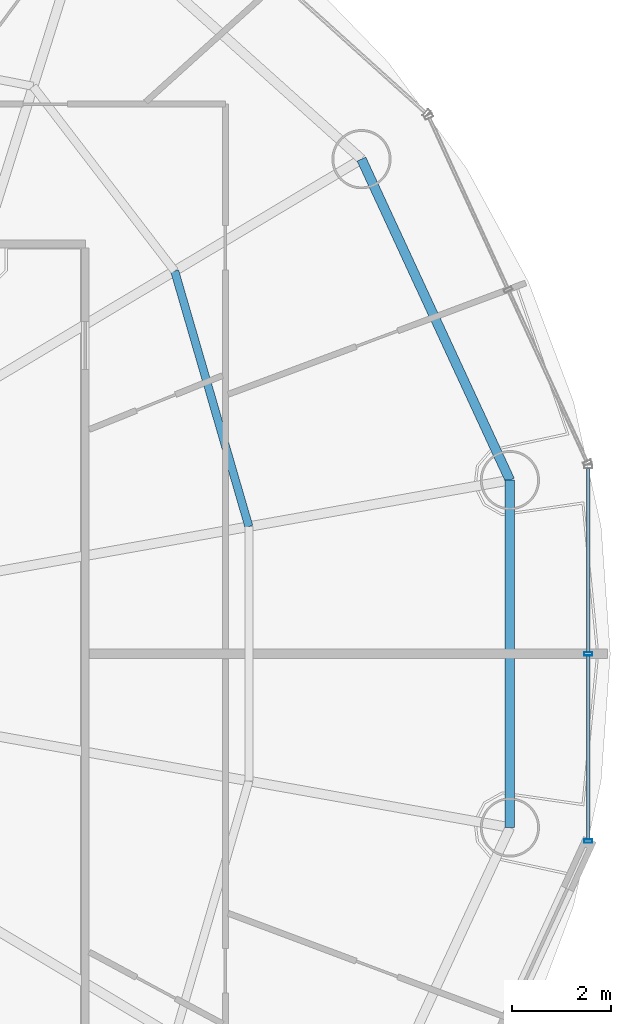
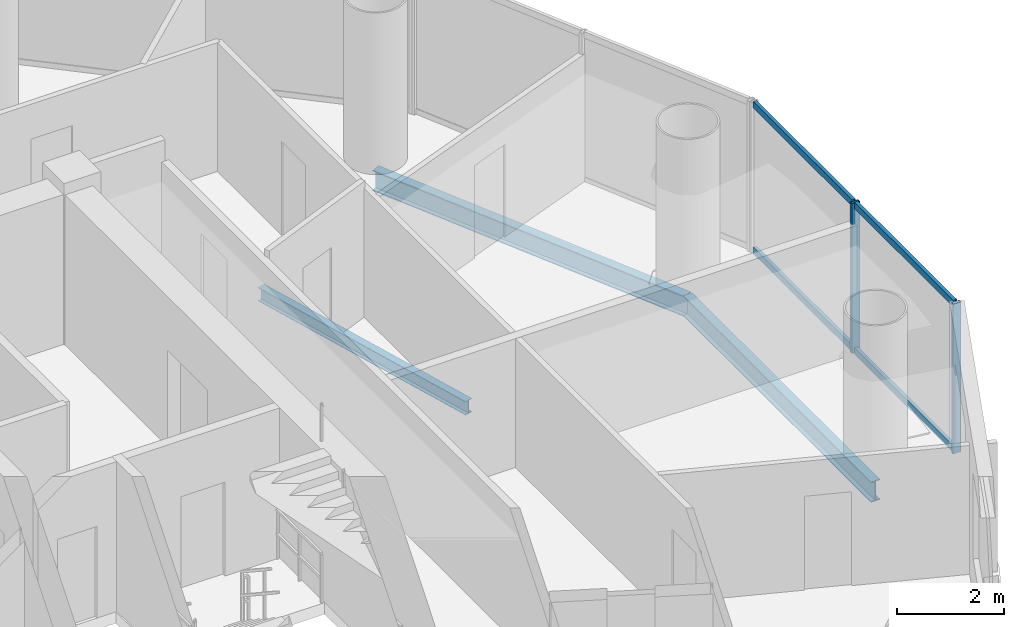
# One storey, part 12 of 26: 6 members, 3 beams, 1 element without a shape of its own.
"""IFC4 building model written with IfcOpenShell, lengths in metres."""

from ifc_helpers import new_model, si_unit, direction, frame, origin, origin_2d, place, context, subcontext, project, spatial, hollow_rectangle, i_section, extrude, source, transform, mapped, material, material_profile, profile_set, type_object, element, aggregate, save


model = new_model("IFC4")

# Units and contexts
model_context = context("Model", 3, precision=1e-05, world=origin(), true_north=direction((-0.2419218956, 0.970295726276)))
body_context = subcontext(model_context, "Body", "Model", "MODEL_VIEW")
ifc_project = project(units=[si_unit("LENGTHUNIT", "METRE"), si_unit("AREAUNIT", "SQUARE_METRE"), si_unit("VOLUMEUNIT", "CUBIC_METRE"), si_unit("PLANEANGLEUNIT", "RADIAN"), si_unit("MASSUNIT", "GRAM", prefix="KILO")], contexts=[model_context])

# Site, building, storey
site_placement = place(None, origin())
site = spatial("IfcSite", under=ifc_project, at=site_placement, CompositionType="ELEMENT")
building_placement = place(site_placement, origin())
building = spatial("IfcBuilding", under=site, at=building_placement, Name="Cobrevalo Terracotta Tower", CompositionType="ELEMENT")
storey_placement = place(building_placement, frame((0.0, 0.0, 213.39990234375)))
storey = spatial("IfcBuildingStorey", under=building, at=storey_placement, Name="L56", CompositionType="ELEMENT", Elevation=213.39990234375)

# Beams
ifc_material_1 = material(Name="Steel S355", Category="steel")
ifc_material_profile_1 = material_profile(ifc_material_1, i_section(OverallWidth=0.1650390625, OverallDepth=0.31005859375, WebThickness=0.005859375, FlangeThickness=0.009765625, at=origin_2d()), Name="W 310x38.7")
ifc_profile_set_1 = profile_set([ifc_material_profile_1], Name="Steel S355")
beam_type_1 = type_object("IfcBeamType", Name="Structural Joist W 310x38.7 (Steel S355)", PredefinedType="JOIST", material=ifc_profile_set_1)
beam_1_placement = place(storey_placement, frame((52.471435546875, 29.378662109375, -0.419921875), z_axis=(-0.278769817131, 0.960357948401, 0.0), x_axis=(-0.960357948401, -0.278769817131, 0.0)))
element("IfcBeam", 1, at=beam_1_placement, inside=storey, type_object=beam_type_1, Name="L56 circumferential secondary floor joist 01", PredefinedType="JOIST", context=body_context, shape_type="SweptSolid", body=[
    extrude(i_section(OverallWidth=0.1650390625, OverallDepth=0.31005859375, WebThickness=0.005859375, FlangeThickness=0.009765625, at=origin_2d()), origin(), (0.0, 0.0, 1.0), 5.396484375),
])
ifc_material_profile_2 = material_profile(ifc_material_1, i_section(OverallWidth=0.194091796875, OverallDepth=0.468994140625, WebThickness=0.011474609375, FlangeThickness=0.0205078125, at=origin_2d()), Name="W 460x106")
ifc_profile_set_2 = profile_set([ifc_material_profile_2], Name="Steel S355")
beam_type_2 = type_object("IfcBeamType", Name="Structural Spandrel W 460x106 (Steel S355)", PredefinedType="SPANDREL", material=ifc_profile_set_2)
beam_2_placement = place(storey_placement, frame((57.762939453125, 30.3212890625, -0.49951171875), z_axis=(-0.419705965131, 0.907660125176, 0.0), x_axis=(-0.907660125176, -0.419705965131, 0.0)))
element("IfcBeam", 2, at=beam_2_placement, inside=storey, type_object=beam_type_2, Name="L56 perimeter ring spandrel 01", PredefinedType="SPANDREL", context=body_context, shape_type="SweptSolid", body=[
    extrude(i_section(OverallWidth=0.194091796875, OverallDepth=0.468994140625, WebThickness=0.011474609375, FlangeThickness=0.0205078125, at=origin_2d()), origin(), (0.0, 0.0, 1.0), 7.168701171875),
])
beam_3_placement = place(storey_placement, frame((57.762939453125, 23.278564453125, -0.49951171875), z_axis=(0.0, 1.0, 0.0), x_axis=(-1.0, 0.0, 0.0)))
element("IfcBeam", 3, at=beam_3_placement, inside=storey, type_object=beam_type_2, Name="L56 perimeter ring spandrel 16", PredefinedType="SPANDREL", context=body_context, shape_type="SweptSolid", body=[
    extrude(i_section(OverallWidth=0.194091796875, OverallDepth=0.468994140625, WebThickness=0.011474609375, FlangeThickness=0.0205078125, at=origin_2d()), origin(), (0.0, 0.0, 1.0), 7.042724609375),
])

# Curtain wall, members
ifc_material_2 = material(Name="Anodized aluminium", Category="aluminium")
curtain_wall_type = type_object("IfcCurtainWallType", Name="Mid-tower high-wind unitised curtain wall CW-U2", PredefinedType="NOTDEFINED", material=ifc_material_2)
curtain_wall_placement = place(storey_placement, origin())
curtain_wall = element("IfcCurtainWall", 4, at=curtain_wall_placement, inside=storey, type_object=curtain_wall_type, Name="L56 curtain wall CW-L56-S16", PredefinedType="NOTDEFINED")
ifc_material_profile_3 = material_profile(ifc_material_2, hollow_rectangle(XDim=0.074951171875, YDim=0.14990234375, WallThickness=0.00439453125, at=origin_2d()), Name="CWT 75x150")
ifc_profile_set_3 = profile_set([ifc_material_profile_3], Name="Anodized aluminium")
member_type_1 = type_object("IfcMemberType", Name="Tower unitised aluminium transom 75x150", PredefinedType="USERDEFINED", material=ifc_profile_set_3)
shared_shape_1 = source(origin(), body_context, "Body", "SweptSolid", [
    extrude(hollow_rectangle(XDim=0.074951171875, YDim=0.14990234375, WallThickness=0.00439453125, at=origin_2d()), origin(), (0.0, 0.0, 1.0), 3.71728515625),
])
member_1_placement = place(storey_placement, frame((59.351806640625, 26.840087890625, 0.050048828125), z_axis=(0.0, 1.0, 0.0), x_axis=(-1.0, 0.0, 0.0)))
member_1 = element("IfcMember", 5, at=member_1_placement, type_object=member_type_1, Name="CW-L56-S16 transom B02-T1", ObjectType="TRANSOM", PredefinedType="USERDEFINED", context=body_context, shape_type="MappedRepresentation", body=[
    mapped(shared_shape_1, transform((0.0, 0.0, 0.0), scale=1.0)),
])
member_2_placement = place(storey_placement, frame((59.351806640625, 26.840087890625, 3.385009765625), z_axis=(0.0, 1.0, 0.0), x_axis=(-1.0, 0.0, 0.0)))
member_2 = element("IfcMember", 6, at=member_2_placement, type_object=member_type_1, Name="CW-L56-S16 transom B02-T2", ObjectType="TRANSOM", PredefinedType="USERDEFINED", context=body_context, shape_type="MappedRepresentation", body=[
    mapped(shared_shape_1, transform((0.0, 0.0, 0.0), scale=1.0)),
])
shared_shape_2 = source(origin(), body_context, "Body", "SweptSolid", [
    extrude(hollow_rectangle(XDim=0.074951171875, YDim=0.14990234375, WallThickness=0.00439453125, at=origin_2d()), origin(), (0.0, 0.0, 1.0), 3.717529296875),
])
member_3_placement = place(storey_placement, frame((59.351806640625, 23.04248046875, 0.050048828125), z_axis=(0.0, 1.0, 0.0), x_axis=(-1.0, 0.0, 0.0)))
member_3 = element("IfcMember", 7, at=member_3_placement, type_object=member_type_1, Name="CW-L56-S16 transom B01-T1", ObjectType="TRANSOM", PredefinedType="USERDEFINED", context=body_context, shape_type="MappedRepresentation", body=[
    mapped(shared_shape_2, transform((0.0, 0.0, 0.0), scale=1.0)),
])
member_4_placement = place(storey_placement, frame((59.351806640625, 23.04248046875, 3.385009765625), z_axis=(0.0, 1.0, 0.0), x_axis=(-1.0, 0.0, 0.0)))
member_4 = element("IfcMember", 8, at=member_4_placement, type_object=member_type_1, Name="CW-L56-S16 transom B01-T2", ObjectType="TRANSOM", PredefinedType="USERDEFINED", context=body_context, shape_type="MappedRepresentation", body=[
    mapped(shared_shape_2, transform((0.0, 0.0, 0.0), scale=1.0)),
])
ifc_material_profile_4 = material_profile(ifc_material_2, hollow_rectangle(XDim=0.070068359375, YDim=0.169921875, WallThickness=0.00439453125, at=origin_2d()), Name="CWM 70x170")
ifc_profile_set_4 = profile_set([ifc_material_profile_4], Name="Anodized aluminium")
member_type_2 = type_object("IfcMemberType", Name="Upper tower unitised mullion 70x170", PredefinedType="MULLION", material=ifc_profile_set_4)
shared_shape_3 = source(origin(), body_context, "Body", "SweptSolid", [
    extrude(hollow_rectangle(XDim=0.070068359375, YDim=0.169921875, WallThickness=0.00439453125, at=origin_2d()), origin(), (0.0, 0.0, 1.0), 3.43505859375),
])
member_5_placement = place(storey_placement, frame((59.351806640625, 23.002685546875, 0.0), z_axis=(0.0, 0.0, 1.0), x_axis=(0.0, 1.0, 0.0)))
member_5 = element("IfcMember", 9, at=member_5_placement, type_object=member_type_2, Name="CW-L56-S16 vertical mullion 01", PredefinedType="MULLION", context=body_context, shape_type="MappedRepresentation", body=[
    mapped(shared_shape_3, transform((0.0, 0.0, 0.0), scale=1.0)),
])
member_6_placement = place(storey_placement, frame((59.351806640625, 26.800048828125, 0.0), z_axis=(0.0, 0.0, 1.0), x_axis=(0.0, 1.0, 0.0)))
member_6 = element("IfcMember", 10, at=member_6_placement, type_object=member_type_2, Name="CW-L56-S16 vertical mullion 02", PredefinedType="MULLION", context=body_context, shape_type="MappedRepresentation", body=[
    mapped(shared_shape_3, transform((0.0, 0.0, 0.0), scale=1.0)),
])
aggregate(curtain_wall, [member_5, member_6, member_3, member_4, member_1, member_2])

save(model, "model.ifc")
